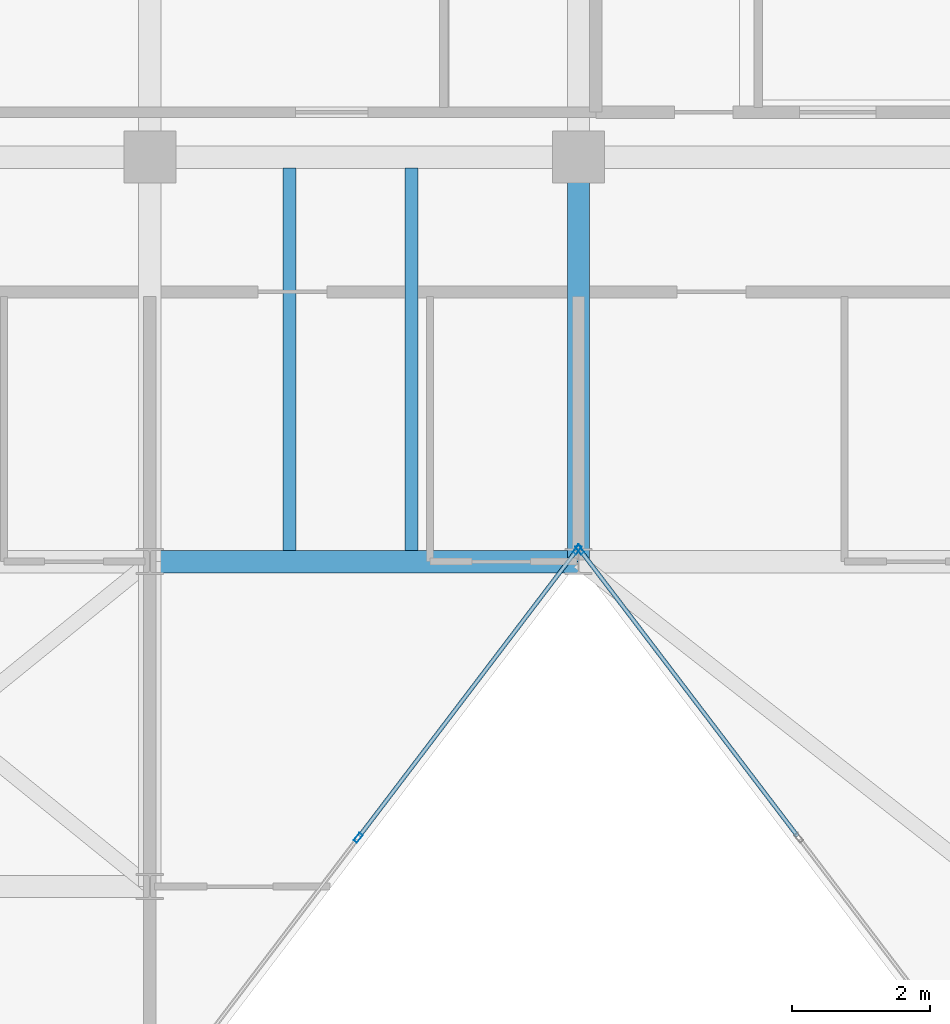
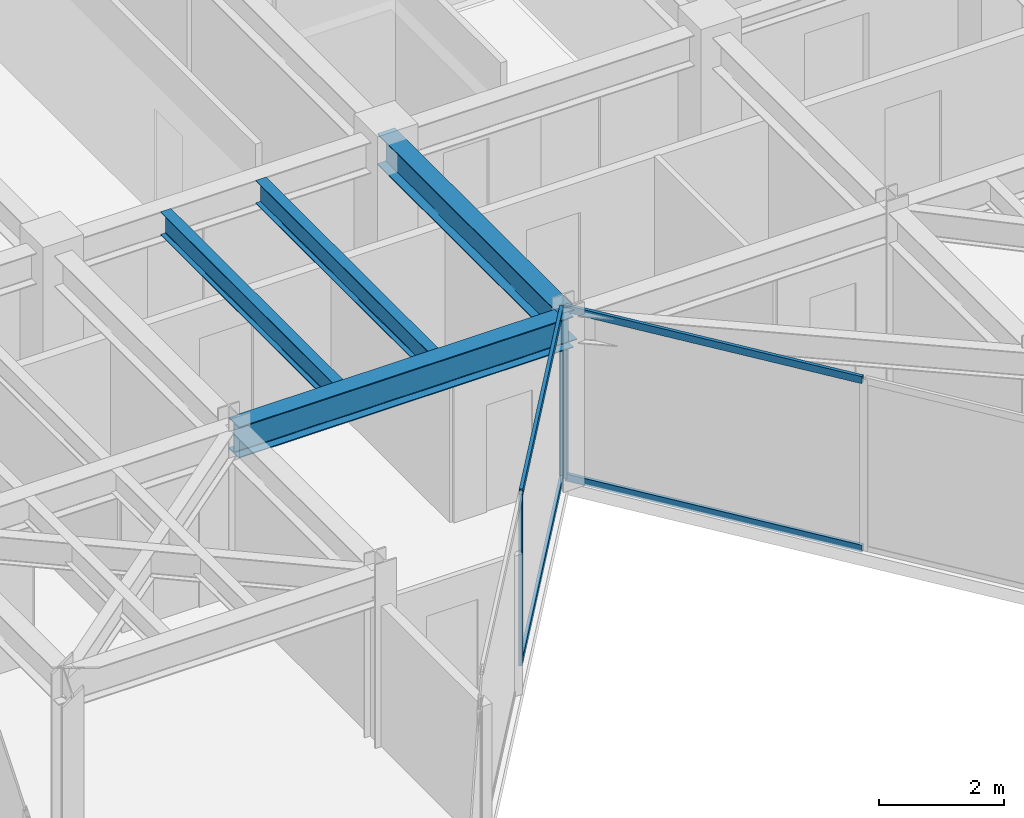
# One storey, part 4 of 17: 7 members, 4 beams, 2 elements without a shape of their own.
"""IFC4 building model written with IfcOpenShell, lengths in metres."""

from ifc_helpers import new_model, si_unit, direction, frame, origin, origin_2d, place, context, subcontext, project, spatial, hollow_rectangle, i_section, extrude, material, layer, layer_set, material_profile, profile_set, type_object, element, aggregate, save


model = new_model("IFC4")

# Units and contexts
model_context = context("Model", 3, precision=1e-05, world=origin(), true_north=direction((0.0, 1.0)))
body_context = subcontext(model_context, "Body", "Model", "MODEL_VIEW")
ifc_project = project(units=[si_unit("LENGTHUNIT", "METRE"), si_unit("AREAUNIT", "SQUARE_METRE"), si_unit("VOLUMEUNIT", "CUBIC_METRE"), si_unit("PLANEANGLEUNIT", "RADIAN"), si_unit("MASSUNIT", "GRAM", prefix="KILO")], contexts=[model_context])

# Site, building, storey
site_placement = place(None, origin())
site = spatial("IfcSite", under=ifc_project, at=site_placement, CompositionType="ELEMENT")
building_placement = place(site_placement, origin())
building = spatial("IfcBuilding", under=site, at=building_placement, Name="Kravanh Interchange Tower", CompositionType="ELEMENT")
storey_placement = place(building_placement, frame((0.0, 0.0, 282.300048828125)))
storey = spatial("IfcBuildingStorey", under=building, at=storey_placement, Name="L69", CompositionType="ELEMENT", Elevation=282.300048828125)

# Curtain wall, member
ifc_material_1 = material(Name="Anodised Bronze Aluminium", Category="aluminium")
ifc_layer = layer(ifc_material_1, 0.179931640625)
ifc_layer_set = layer_set([ifc_layer], Name="Unitised Curtain Wall System CW-HTL Luxury Hotel")
curtain_wall_type = type_object("IfcCurtainWallType", Name="Unitised Curtain Wall System CW-HTL Luxury Hotel", PredefinedType="NOTDEFINED", material=ifc_layer_set)
curtain_wall_1_placement = place(storey_placement, origin())
curtain_wall_1 = element("IfcCurtainWall", 1, at=curtain_wall_1_placement, inside=storey, type_object=curtain_wall_type, Name="L69 Unitised Curtain Wall CW-L69-04", PredefinedType="NOTDEFINED")
ifc_material_2 = material(Name="Anodised Bronze Aluminium", Category="aluminium")
ifc_material_profile_1 = material_profile(ifc_material_2, hollow_rectangle(XDim=0.06005859375, YDim=0.139892578125, WallThickness=0.00390625, at=origin_2d()), Name="ALU60X140X4")
ifc_profile_set_1 = profile_set([ifc_material_profile_1], Name="Anodised Bronze Aluminium")
member_type_1 = type_object("IfcMemberType", Name="Curtain Wall Mullion ALU60X140X4 Bronze", PredefinedType="MULLION", material=ifc_profile_set_1)
member_1_placement = place(storey_placement, frame((44.818115234375, 31.67431640625, 0.0), z_axis=(0.0, 0.0, 1.0), x_axis=(-0.79616243806, -0.605082946564, 0.0)))
member_1 = element("IfcMember", 2, at=member_1_placement, type_object=member_type_1, Name="CW-HTL mullion 4", PredefinedType="MULLION", context=body_context, shape_type="SweptSolid", body=[
    extrude(hollow_rectangle(XDim=0.06005859375, YDim=0.139892578125, WallThickness=0.00390625, at=origin_2d()), origin(), (0.0, 0.0, 1.0), 3.364990234375),
])

# Curtain wall, members
curtain_wall_2_placement = place(storey_placement, origin())
curtain_wall_2 = element("IfcCurtainWall", 3, at=curtain_wall_2_placement, inside=storey, type_object=curtain_wall_type, Name="L69 Unitised Curtain Wall CW-L69-05", PredefinedType="NOTDEFINED")
member_2_placement = place(storey_placement, frame((44.78173828125, 31.67431640625, 0.0), z_axis=(0.0, 0.0, 1.0), x_axis=(0.79616243806, -0.605082946564, 0.0)))
member_2 = element("IfcMember", 4, at=member_2_placement, type_object=member_type_1, Name="CW-HTL mullion 1", PredefinedType="MULLION", context=body_context, shape_type="SweptSolid", body=[
    extrude(hollow_rectangle(XDim=0.06005859375, YDim=0.139892578125, WallThickness=0.00390625, at=origin_2d()), origin(), (0.0, 0.0, 1.0), 3.364990234375),
])
member_3_placement = place(storey_placement, frame((41.613525390625, 27.505615234375, 0.0), z_axis=(0.0, 0.0, 1.0), x_axis=(0.79616243806, -0.605082946564, 0.0)))
member_3 = element("IfcMember", 5, at=member_3_placement, type_object=member_type_1, Name="CW-HTL mullion 2", PredefinedType="MULLION", context=body_context, shape_type="SweptSolid", body=[
    extrude(hollow_rectangle(XDim=0.06005859375, YDim=0.139892578125, WallThickness=0.00390625, at=origin_2d()), origin(), (0.0, 0.0, 1.0), 3.364990234375),
])

# Member
ifc_material_3 = material(Name="Anodised Bronze Aluminium", Category="aluminium")
ifc_material_profile_2 = material_profile(ifc_material_3, hollow_rectangle(XDim=0.06005859375, YDim=0.139892578125, WallThickness=0.00390625, at=origin_2d()), Name="ALU60X140X4")
ifc_profile_set_2 = profile_set([ifc_material_profile_2], Name="Anodised Bronze Aluminium")
member_type_2 = type_object("IfcMemberType", Name="Curtain Wall Transom ALU60X140X4 Bronze", PredefinedType="USERDEFINED", material=ifc_profile_set_2)
member_4_placement = place(storey_placement, frame((47.96826171875, 27.529296875, 0.030029296875), z_axis=(-0.605036627368, 0.796197638494, 0.0), x_axis=(-0.796197638494, -0.605036627368, 0.0)))
member_4 = element("IfcMember", 6, at=member_4_placement, type_object=member_type_2, Name="CW-HTL transom 3.1", ObjectType="TRANSOM", PredefinedType="USERDEFINED", context=body_context, shape_type="SweptSolid", body=[
    extrude(hollow_rectangle(XDim=0.06005859375, YDim=0.139892578125, WallThickness=0.00390625, at=origin_2d()), origin(), (0.0, 0.0, 1.0), 5.17626953125),
])

member_5_placement = place(storey_placement, frame((47.96826171875, 27.529296875, 3.3349609375), z_axis=(-0.605036627368, 0.796197638494, 0.0), x_axis=(-0.796197638494, -0.605036627368, 0.0)))
member_5 = element("IfcMember", 7, at=member_5_placement, type_object=member_type_2, Name="CW-HTL transom 3.2", ObjectType="TRANSOM", PredefinedType="USERDEFINED", context=body_context, shape_type="SweptSolid", body=[
    extrude(hollow_rectangle(XDim=0.06005859375, YDim=0.139892578125, WallThickness=0.00390625, at=origin_2d()), origin(), (0.0, 0.0, 1.0), 5.17626953125),
])

aggregate(curtain_wall_1, [member_1, member_4, member_5])

member_6_placement = place(storey_placement, frame((44.763671875, 31.650634765625, 0.030029296875), z_axis=(-0.605066525627, -0.796174917695, 0.0), x_axis=(0.796174917695, -0.605066525627, 0.0)))
member_6 = element("IfcMember", 8, at=member_6_placement, type_object=member_type_2, Name="CW-HTL transom 1.1", ObjectType="TRANSOM", PredefinedType="USERDEFINED", context=body_context, shape_type="SweptSolid", body=[
    extrude(hollow_rectangle(XDim=0.06005859375, YDim=0.139892578125, WallThickness=0.00390625, at=origin_2d()), origin(), (0.0, 0.0, 1.0), 5.176513671875),
])

member_7_placement = place(storey_placement, frame((44.763671875, 31.650634765625, 3.3349609375), z_axis=(-0.605066525627, -0.796174917695, 0.0), x_axis=(0.796174917695, -0.605066525627, 0.0)))
member_7 = element("IfcMember", 9, at=member_7_placement, type_object=member_type_2, Name="CW-HTL transom 1.2", ObjectType="TRANSOM", PredefinedType="USERDEFINED", context=body_context, shape_type="SweptSolid", body=[
    extrude(hollow_rectangle(XDim=0.06005859375, YDim=0.139892578125, WallThickness=0.00390625, at=origin_2d()), origin(), (0.0, 0.0, 1.0), 5.176513671875),
])

aggregate(curtain_wall_2, [member_2, member_3, member_6, member_7])

# Beams
ifc_material_4 = material(Name="Structural Steel S355", Category="steel")
ifc_material_profile_3 = material_profile(ifc_material_4, i_section(OverallWidth=0.323974609375, OverallDepth=0.611083984375, WebThickness=0.0126953125, FlangeThickness=0.01904296875, FilletRadius=0.02197265625, at=origin_2d()), Name="W24X104")
ifc_profile_set_3 = profile_set([ifc_material_profile_3], Name="Structural Steel S355")
beam_type_1 = type_object("IfcBeamType", Name="Floor Beam W24X104 Structural Steel S355", PredefinedType="BEAM", material=ifc_profile_set_3)
beam_1_placement = place(storey_placement, frame((44.800048828125, 31.5, 3.0595703125), z_axis=(0.0, 1.0, 0.0), x_axis=(-1.0, 0.0, 0.0)))
element("IfcBeam", 10, at=beam_1_placement, inside=storey, type_object=beam_type_1, Name="L69 Primary Floor Girder 1", PredefinedType="BEAM", context=body_context, shape_type="SweptSolid", body=[
    extrude(i_section(OverallWidth=0.323974609375, OverallDepth=0.611083984375, WebThickness=0.0126953125, FlangeThickness=0.01904296875, FilletRadius=0.02197265625, at=origin_2d()), origin(), (0.0, 0.0, 1.0), 5.85009765625),
])
beam_2_placement = place(storey_placement, frame((44.800048828125, 31.5, 3.0595703125), z_axis=(-1.0, 0.0, 0.0), x_axis=(0.0, -1.0, 0.0)))
element("IfcBeam", 11, at=beam_2_placement, inside=storey, type_object=beam_type_1, Name="L69 Primary Floor Girder 3", PredefinedType="BEAM", context=body_context, shape_type="SweptSolid", body=[
    extrude(i_section(OverallWidth=0.323974609375, OverallDepth=0.611083984375, WebThickness=0.0126953125, FlangeThickness=0.01904296875, FilletRadius=0.02197265625, at=origin_2d()), origin(), (0.0, 0.0, 1.0), 6.199951171875),
])
ifc_material_5 = material(Name="Structural Steel S355", Category="steel")
ifc_material_profile_4 = material_profile(ifc_material_5, i_section(OverallWidth=0.18994140625, OverallDepth=0.45703125, WebThickness=0.009033203125, FlangeThickness=0.014404296875, FilletRadius=0.01806640625, at=origin_2d()), Name="W18X50")
ifc_profile_set_4 = profile_set([ifc_material_profile_4], Name="Structural Steel S355")
beam_type_2 = type_object("IfcBeamType", Name="Floor Joist W18X50 Structural Steel S355", PredefinedType="JOIST", material=ifc_profile_set_4)
for number, where, z_axis, x_axis, name in (
    (12, (40.6220703125, 31.656982421875, 3.136474609375), (0.0, 1.0, 0.0), (-1.0, 0.0, 0.0), "L69 Secondary Floor Joist 11"),
    (13, (42.385986328125, 31.656982421875, 3.136474609375), (0.0, 1.0, 0.0), (-1.0, 0.0, 0.0), "L69 Secondary Floor Joist 12"),
):
    element("IfcBeam", number, at=place(storey_placement, frame(where, z_axis=z_axis, x_axis=x_axis)), inside=storey, type_object=beam_type_2, Name=name, PredefinedType="JOIST", context=body_context, shape_type="SweptSolid", body=[
        extrude(i_section(OverallWidth=0.18994140625, OverallDepth=0.45703125, WebThickness=0.009033203125, FlangeThickness=0.014404296875, FilletRadius=0.01806640625, at=origin_2d()), origin(), (0.0, 0.0, 1.0), 5.5361328125),
    ])

save(model, "model.ifc")
